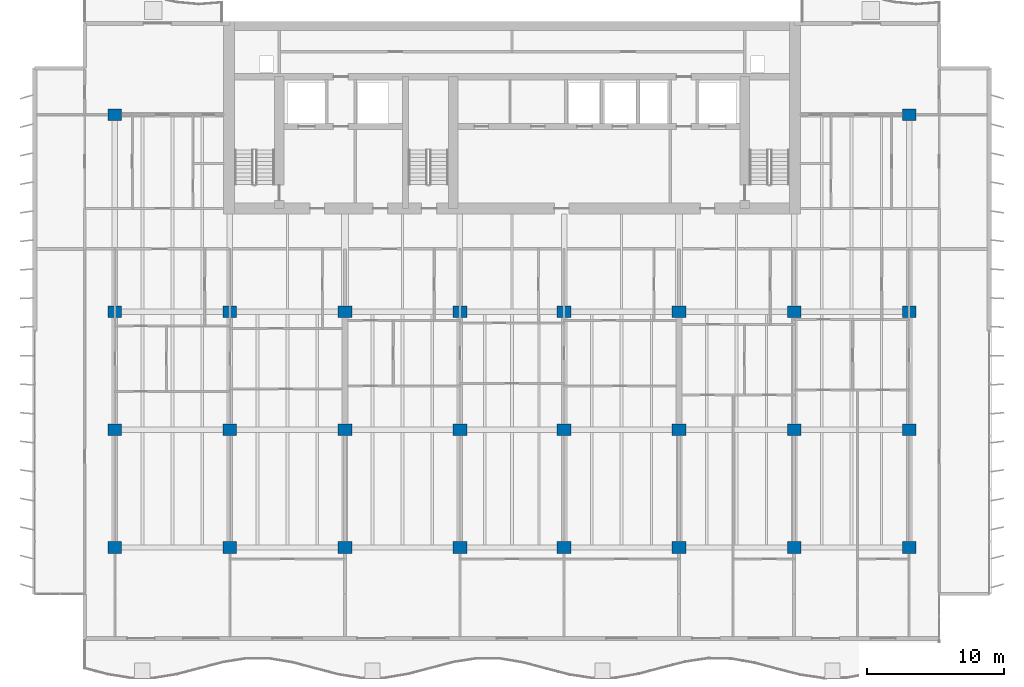
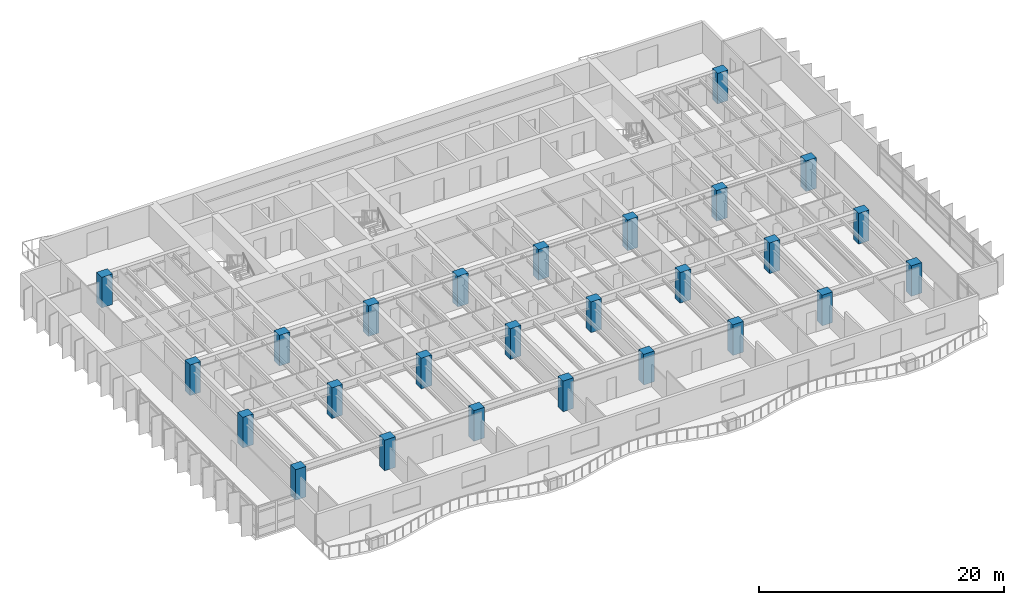
# One storey, part 1 of 15: 26 columns.
"""IFC4 building model written with IfcOpenShell, lengths in metres."""

from ifc_helpers import new_model, si_unit, direction, frame, origin, origin_2d, place, context, subcontext, project, spatial, rectangle, extrude, material, material_profile, profile_set, type_object, element, save


model = new_model("IFC4")

# Units and contexts
model_context = context("Model", 3, precision=1e-05, world=origin(), true_north=direction((0.0, 1.0)))
body_context = subcontext(model_context, "Body", "Model", "MODEL_VIEW")
ifc_project = project(units=[si_unit("LENGTHUNIT", "METRE"), si_unit("AREAUNIT", "SQUARE_METRE"), si_unit("VOLUMEUNIT", "CUBIC_METRE"), si_unit("PLANEANGLEUNIT", "RADIAN"), si_unit("MASSUNIT", "GRAM", prefix="KILO")], contexts=[model_context])

# Site, building, storey
site_placement = place(None, origin())
site = spatial("IfcSite", under=ifc_project, at=site_placement, CompositionType="ELEMENT")
building_placement = place(site_placement, origin())
building = spatial("IfcBuilding", under=site, at=building_placement, Name="Caelmar Bay Residences", CompositionType="ELEMENT")
storey_placement = place(building_placement, frame((0.0, 0.0, 135.60009765625)))
storey = spatial("IfcBuildingStorey", under=building, at=storey_placement, Name="L37", CompositionType="ELEMENT", Elevation=135.60009765625)

# Columns
ifc_material = material(Name="Concrete f'c 70 MPa (10,000 psi)", Category="concrete")
ifc_material_profile = material_profile(ifc_material, rectangle(XDim=1.0, YDim=0.85009765625, at=origin_2d()), Name="RC-COL-1000X850")
ifc_profile_set = profile_set([ifc_material_profile], Name="Concrete f'c 70 MPa (10,000 psi)")
column_type = type_object("IfcColumnType", Name="COL-RC-1000X850", PredefinedType="COLUMN", material=ifc_profile_set)
for number, where, z_axis, x_axis, name in (
    (1, (9.89990234375, 12.199951171875, 0.0), (0.0, 0.0, 1.0), (1.0, 0.0, 0.0), "L37 Column (9.90,12.20)"),
    (2, (18.300048828125, 12.199951171875, 0.0), (0.0, 0.0, 1.0), (1.0, 0.0, 0.0), "L37 Column (18.30,12.20)"),
    (3, (26.699951171875, 12.199951171875, 0.0), (0.0, 0.0, 1.0), (1.0, 0.0, 0.0), "L37 Column (26.70,12.20)"),
    (4, (35.10009765625, 12.199951171875, 0.0), (0.0, 0.0, 1.0), (1.0, 0.0, 0.0), "L37 Column (35.10,12.20)"),
    (5, (42.699951171875, 12.199951171875, 0.0), (0.0, 0.0, 1.0), (1.0, 0.0, 0.0), "L37 Column (42.70,12.20)"),
    (6, (51.10009765625, 12.199951171875, 0.0), (0.0, 0.0, 1.0), (1.0, 0.0, 0.0), "L37 Column (51.10,12.20)"),
    (7, (59.5, 12.199951171875, 0.0), (0.0, 0.0, 1.0), (1.0, 0.0, 0.0), "L37 Column (59.50,12.20)"),
    (8, (67.89990234375, 12.199951171875, 0.0), (0.0, 0.0, 1.0), (1.0, 0.0, 0.0), "L37 Column (67.90,12.20)"),
    (9, (9.89990234375, 20.800048828125, 0.0), (0.0, 0.0, 1.0), (1.0, 0.0, 0.0), "L37 Column (9.90,20.80)"),
    (10, (18.300048828125, 20.800048828125, 0.0), (0.0, 0.0, 1.0), (1.0, 0.0, 0.0), "L37 Column (18.30,20.80)"),
    (11, (26.699951171875, 20.800048828125, 0.0), (0.0, 0.0, 1.0), (1.0, 0.0, 0.0), "L37 Column (26.70,20.80)"),
    (12, (35.10009765625, 20.800048828125, 0.0), (0.0, 0.0, 1.0), (1.0, 0.0, 0.0), "L37 Column (35.10,20.80)"),
    (13, (42.699951171875, 20.800048828125, 0.0), (0.0, 0.0, 1.0), (1.0, 0.0, 0.0), "L37 Column (42.70,20.80)"),
    (14, (51.10009765625, 20.800048828125, 0.0), (0.0, 0.0, 1.0), (1.0, 0.0, 0.0), "L37 Column (51.10,20.80)"),
    (15, (59.5, 20.800048828125, 0.0), (0.0, 0.0, 1.0), (1.0, 0.0, 0.0), "L37 Column (59.50,20.80)"),
    (16, (67.89990234375, 20.800048828125, 0.0), (0.0, 0.0, 1.0), (1.0, 0.0, 0.0), "L37 Column (67.90,20.80)"),
    (17, (9.89990234375, 29.39990234375, 0.0), (0.0, 0.0, 1.0), (1.0, 0.0, 0.0), "L37 Column (9.90,29.40)"),
    (18, (18.300048828125, 29.39990234375, 0.0), (0.0, 0.0, 1.0), (1.0, 0.0, 0.0), "L37 Column (18.30,29.40)"),
    (19, (26.699951171875, 29.39990234375, 0.0), (0.0, 0.0, 1.0), (1.0, 0.0, 0.0), "L37 Column (26.70,29.40)"),
    (20, (35.10009765625, 29.39990234375, 0.0), (0.0, 0.0, 1.0), (1.0, 0.0, 0.0), "L37 Column (35.10,29.40)"),
    (21, (42.699951171875, 29.39990234375, 0.0), (0.0, 0.0, 1.0), (1.0, 0.0, 0.0), "L37 Column (42.70,29.40)"),
    (22, (51.10009765625, 29.39990234375, 0.0), (0.0, 0.0, 1.0), (1.0, 0.0, 0.0), "L37 Column (51.10,29.40)"),
    (23, (59.5, 29.39990234375, 0.0), (0.0, 0.0, 1.0), (1.0, 0.0, 0.0), "L37 Column (59.50,29.40)"),
    (24, (67.89990234375, 29.39990234375, 0.0), (0.0, 0.0, 1.0), (1.0, 0.0, 0.0), "L37 Column (67.90,29.40)"),
    (25, (9.89990234375, 43.800048828125, 0.0), (0.0, 0.0, 1.0), (1.0, 0.0, 0.0), "L37 Column (9.90,43.80)"),
    (26, (67.89990234375, 43.800048828125, 0.0), (0.0, 0.0, 1.0), (1.0, 0.0, 0.0), "L37 Column (67.90,43.80)"),
):
    element("IfcColumn", number, at=place(storey_placement, frame(where, z_axis=z_axis, x_axis=x_axis)), inside=storey, type_object=column_type, Name=name, PredefinedType="COLUMN", context=body_context, shape_type="SweptSolid", body=[
        extrude(rectangle(XDim=1.0, YDim=0.85009765625, at=origin_2d()), origin(), (0.0, 0.0, 1.0), 3.0498046875),
    ])

save(model, "model.ifc")
